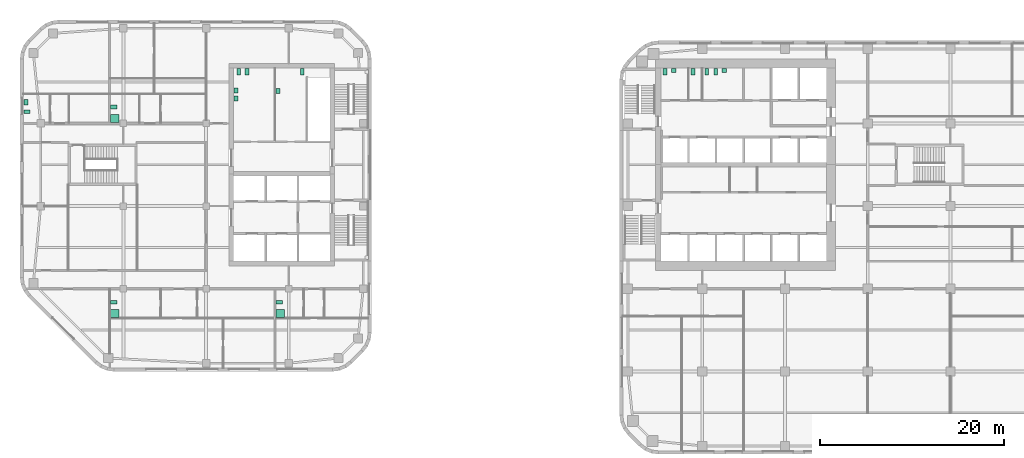
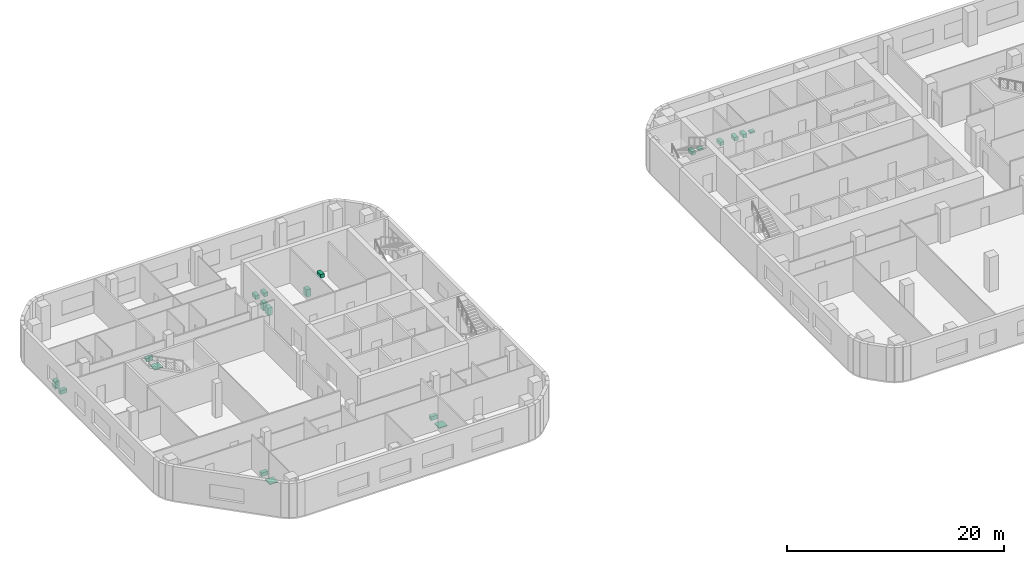
# One storey, part 16 of 16: 20 sanitary terminals.
"""IFC4 building model written with IfcOpenShell, lengths in metres."""

import ifcopenshell
import ifcopenshell.guid

model = None  # the IFC model being written
_history = None  # IfcOwnerHistory: only IFC2X3 demands one
_inside = {}  # id of a spatial element -> (the spatial element, [elements in it])
_under = {}  # id of a project, library or spatial element -> (it, [spatial elements below it])
_declared = {}  # id of a project -> (the project, [libraries it declares])
_typed = {}  # id of a type object -> (the type object, [elements of that type])
_made_of = {}  # id of a material, layer set ... -> (it, [elements and type objects made of it])


def new_model(schema):
    """Start an empty IFC model of exactly this schema.

    Asked for "IFC4X3", IfcOpenShell would pick the latest addendum, in which some entities
    have other attributes; the version numbers below select the first issue.
    IFC2X3 requires an IfcOwnerHistory on every rooted entity: one is made here for all.
    """
    global model, _history
    if schema == "IFC4X3":
        model = ifcopenshell.file(schema_version=(4, 3, 0, 0))
    else:
        model = ifcopenshell.file(schema=schema)
    _inside.clear()
    _under.clear()
    _declared.clear()
    _typed.clear()
    _made_of.clear()
    _history = None
    if model.schema == "IFC2X3":
        org = make("IfcOrganization", Name="unknown")
        user = make(
            "IfcPersonAndOrganization",
            ThePerson=make("IfcPerson", FamilyName="unknown"),
            TheOrganization=org,
        )
        app = make(
            "IfcApplication",
            ApplicationDeveloper=org,
            Version="unknown",
            ApplicationFullName="unknown",
            ApplicationIdentifier="unknown",
        )
        _history = make(
            "IfcOwnerHistory",
            OwningUser=user,
            OwningApplication=app,
            ChangeAction="ADDED",
            CreationDate=0,
        )
    return model


def make(cls, **values):
    """One entity of the class cls with the attributes given. An attribute that is None is left unset."""
    return model.create_entity(
        cls, **{name: value for name, value in values.items() if value is not None}
    )


def rooted(cls, **values):
    """An entity with a GlobalId (a new one), such as an element, a storey or a relation."""
    return make(cls, GlobalId=ifcopenshell.guid.new(), OwnerHistory=_history, **values)


def si_unit(unit_type, name, prefix=None):
    """IfcSIUnit, for example si_unit("LENGTHUNIT", "METRE", prefix="MILLI")."""
    return make("IfcSIUnit", UnitType=unit_type, Prefix=prefix, Name=name)


def assignment(units):
    """IfcUnitAssignment: the units of a project."""
    return None if units is None else make("IfcUnitAssignment", Units=units)


def point(xyz):
    """IfcCartesianPoint."""
    return None if xyz is None else make("IfcCartesianPoint", Coordinates=xyz)


def direction(xyz):
    """IfcDirection."""
    return None if xyz is None else make("IfcDirection", DirectionRatios=xyz)


def frame(location, z_axis=None, x_axis=None):
    """IfcAxis2Placement3D, a coordinate frame: its origin and axes. An axis left out is left unset."""
    return make(
        "IfcAxis2Placement3D",
        Location=point(location),
        Axis=direction(z_axis),
        RefDirection=direction(x_axis),
    )


def frame_2d(location, x_axis=None):
    """IfcAxis2Placement2D, a coordinate frame in the plane: its origin and x axis."""
    return make(
        "IfcAxis2Placement2D", Location=point(location), RefDirection=direction(x_axis)
    )


def origin():
    """The frame at (0, 0, 0) with its axes left unset."""
    return frame((0.0, 0.0, 0.0))


def origin_2d():
    """The frame at (0, 0) in the plane with its x axis left unset."""
    return frame_2d((0.0, 0.0))


def place(relative_to, where):
    """IfcLocalPlacement: puts the frame where relative to a parent placement (None: the world)."""
    return make(
        "IfcLocalPlacement", PlacementRelTo=relative_to, RelativePlacement=where
    )


def context(
    kind, dimensions, precision=None, world=None, true_north=None, identifier=None
):
    """IfcGeometricRepresentationContext, for example the 3D "Model" context."""
    return make(
        "IfcGeometricRepresentationContext",
        ContextIdentifier=identifier,
        ContextType=kind,
        CoordinateSpaceDimension=dimensions,
        Precision=precision,
        WorldCoordinateSystem=world,
        TrueNorth=true_north,
    )


def subcontext(parent, identifier, kind, view, scale=None):
    """IfcGeometricRepresentationSubContext, for example "Body" below "Model"."""
    return make(
        "IfcGeometricRepresentationSubContext",
        ContextIdentifier=identifier,
        ContextType=kind,
        ParentContext=parent,
        TargetScale=scale,
        TargetView=view,
    )


def project(units=None, contexts=None):
    """IfcProject with its units and contexts."""
    return rooted(
        "IfcProject",
        Name="project",
        RepresentationContexts=contexts,
        UnitsInContext=assignment(units),
    )


def spatial(cls, under=None, at=None, **own):
    """A site, building, storey or space (cls), placed at a placement, below another one or the project."""
    s = rooted(cls, ObjectPlacement=at, **own)
    if under is not None:
        _under.setdefault(under.id(), (under, []))[1].append(s)
    return s


def profile(cls, at=None, kind="AREA", **sizes):
    """A parametric profile (cls). Its sizes go by their IFC names, for example OverallWidth=200.0."""
    return make(cls, ProfileType=kind, Position=at, **sizes)


def rectangle(**sizes):
    """IfcRectangleProfileDef."""
    return profile("IfcRectangleProfileDef", **sizes)


def extrude(swept, where, along, depth):
    """IfcExtrudedAreaSolid: the profile swept, set in the frame where, extruded along a direction by depth."""
    return make(
        "IfcExtrudedAreaSolid",
        SweptArea=swept,
        Position=where,
        ExtrudedDirection=direction(along),
        Depth=depth,
    )


def shape(context_of_items, identifier, shape_type, items):
    """IfcShapeRepresentation: the items that make up one representation, for example the "Body"."""
    return make(
        "IfcShapeRepresentation",
        ContextOfItems=context_of_items,
        RepresentationIdentifier=identifier,
        RepresentationType=shape_type,
        Items=items,
    )


def material(Name=None, Category=None):
    """IfcMaterial."""
    return make("IfcMaterial", Name=Name, Category=Category)


def made_of(thing, what):
    """Note that an element or type object is made of a material, layer set ...; save() writes the relation."""
    if what is not None:
        _made_of.setdefault(what.id(), (what, []))[1].append(thing)
    return thing


def type_object(cls, material=None, **own):
    """A type object (cls), such as IfcWallType, which elements share."""
    return made_of(rooted(cls, **own), material)


def element(
    cls,
    number,
    at=None,
    inside=None,
    cuts=None,
    type_object=None,
    material=None,
    context=None,
    identifier="Body",
    shape_type=None,
    held_by="IfcProductDefinitionShape",
    body=None,
    shapes=None,
    **own,
):
    """One element of the class cls, such as IfcWall. Its Tag is "e" and its number.

    at: its placement. inside: the storey or other place that contains it. cuts: it is an
    opening in that element (IfcRelVoidsElement). A single representation is given by context,
    identifier, shape_type and body (its items); several are given by shapes. held_by: the class
    of the entity that holds the representations. save() writes the other relations.
    """
    e = rooted(cls, Tag="e%d" % number, ObjectPlacement=at, **own)
    if body is not None:
        shapes = [shape(context, identifier, shape_type, body)]
    if shapes is not None:
        e.Representation = make(held_by, Representations=shapes)
    if inside is not None:
        _inside.setdefault(inside.id(), (inside, []))[1].append(e)
    if cuts is not None:
        rooted(
            "IfcRelVoidsElement", RelatingBuildingElement=cuts, RelatedOpeningElement=e
        )
    if type_object is not None:
        _typed.setdefault(type_object.id(), (type_object, []))[1].append(e)
    return made_of(e, material)


def aggregate(whole, parts):
    """IfcRelAggregates: a whole, such as a stair, and the parts it consists of."""
    return rooted("IfcRelAggregates", RelatingObject=whole, RelatedObjects=parts)


def save(model, path):
    """Write the relations noted so far, then the file.

    IfcRelAggregates (storeys below a building ...), IfcRelContainedInSpatialStructure (elements
    in a storey), IfcRelDefinesByType, IfcRelAssociatesMaterial and IfcRelDeclares: one each for
    every whole, place, type object, material and project.
    """
    for whole, parts in _under.values():
        aggregate(whole, parts)
    for where, things in _inside.values():
        rooted(
            "IfcRelContainedInSpatialStructure",
            RelatedElements=things,
            RelatingStructure=where,
        )
    for kind, things in _typed.values():
        rooted("IfcRelDefinesByType", RelatedObjects=things, RelatingType=kind)
    for what, things in _made_of.values():
        rooted("IfcRelAssociatesMaterial", RelatedObjects=things, RelatingMaterial=what)
    for by, libraries in _declared.values():
        rooted("IfcRelDeclares", RelatingContext=by, RelatedDefinitions=libraries)
    model.write(path)


model = new_model("IFC4")

# Units and contexts
model_context = context("Model", 3, precision=1e-05, world=origin(), true_north=direction((0.0, 1.0)))
body_context = subcontext(model_context, "Body", "Model", "MODEL_VIEW")
ifc_project = project(units=[si_unit("LENGTHUNIT", "METRE"), si_unit("AREAUNIT", "SQUARE_METRE"), si_unit("VOLUMEUNIT", "CUBIC_METRE"), si_unit("PLANEANGLEUNIT", "RADIAN"), si_unit("MASSUNIT", "GRAM", prefix="KILO")], contexts=[model_context])

# Site, building, storey
site_placement = place(None, origin())
site = spatial("IfcSite", under=ifc_project, at=site_placement, CompositionType="ELEMENT")
building_placement = place(site_placement, origin())
building = spatial("IfcBuilding", under=site, at=building_placement, Name="Cinnabar Reach Civic Tower", CompositionType="ELEMENT")
storey_placement = place(building_placement, frame((0.0, 0.0, 79.0)))
storey = spatial("IfcBuildingStorey", under=building, at=storey_placement, Name="L18", CompositionType="ELEMENT", Elevation=79.0)

# Sanitary terminals
ifc_material_1 = material(Name="Vitreous china")
sanitary_terminal_type_1 = type_object("IfcSanitaryTerminalType", Name="T1 WC pan", PredefinedType="TOILETPAN", material=ifc_material_1)
for number, where, z_axis, x_axis, name in (
    (1, (4.95, 41.6, 0.0), (0.0, 0.0, 1.0), (1.0, 0.0, 0.0), "T1 WC pan 1807-1"),
    (2, (8.0, 41.6, 0.0), (0.0, 0.0, 1.0), (1.0, 0.0, 0.0), "T1 WC pan 1808-1"),
    (3, (9.5, 41.6, 0.0), (0.0, 0.0, 1.0), (1.0, 0.0, 0.0), "T1 WC pan 1809-1"),
    (4, (10.45, 41.6, 0.0), (0.0, 0.0, 1.0), (1.0, 0.0, 0.0), "T1 WC pan 1809-2"),
):
    element("IfcSanitaryTerminal", number, at=place(storey_placement, frame(where, z_axis=z_axis, x_axis=x_axis)), inside=storey, type_object=sanitary_terminal_type_1, Name=name, PredefinedType="TOILETPAN", context=body_context, shape_type="SweptSolid", body=[
        extrude(rectangle(XDim=0.4, YDim=0.7, at=origin_2d()), origin(), (0.0, 0.0, 1.0), 0.4),
    ])
sanitary_terminal_type_2 = type_object("IfcSanitaryTerminalType", Name="T1 wash basin", PredefinedType="WASHHANDBASIN", material=ifc_material_1)
for number, where, z_axis, x_axis, name in (
    (5, (5.9, 41.74, 0.0), (0.0, 0.0, 1.0), (1.0, 0.0, 0.0), "T1 wash basin 1807-2"),
    (6, (11.4, 41.74, 0.0), (0.0, 0.0, 1.0), (1.0, 0.0, 0.0), "T1 wash basin 1809-3"),
):
    element("IfcSanitaryTerminal", number, at=place(storey_placement, frame(where, z_axis=z_axis, x_axis=x_axis)), inside=storey, type_object=sanitary_terminal_type_2, Name=name, PredefinedType="WASHHANDBASIN", context=body_context, shape_type="SweptSolid", body=[
        extrude(rectangle(XDim=0.5, YDim=0.42, at=origin_2d()), origin(), (0.0, 0.0, 1.0), 0.2),
    ])
ifc_material_2 = material(Name="Acrylic tray")
sanitary_terminal_type_3 = type_object("IfcSanitaryTerminalType", Name="T2 Shower tray", PredefinedType="SHOWER", material=ifc_material_2)
for number, where, z_axis, x_axis, name in (
    (7, (-54.95, 15.3, 0.0), (0.0, 0.0, 1.0), (1.0, 0.0, 0.0), "Shower tray"),
    (8, (-36.925, 15.3, 0.0), (0.0, 0.0, 1.0), (1.0, 0.0, 0.0), "Shower tray"),
    (9, (-54.925, 36.525, 0.0), (0.0, 0.0, 1.0), (1.0, 0.0, 0.0), "Shower tray"),
):
    element("IfcSanitaryTerminal", number, at=place(storey_placement, frame(where, z_axis=z_axis, x_axis=x_axis)), inside=storey, type_object=sanitary_terminal_type_3, Name=name, PredefinedType="SHOWER", context=body_context, shape_type="SweptSolid", body=[
        extrude(rectangle(XDim=0.9, YDim=0.9, at=origin_2d()), origin(), (0.0, 0.0, 1.0), 0.1),
    ])
sanitary_terminal_type_4 = type_object("IfcSanitaryTerminalType", Name="T2 WC pan", PredefinedType="TOILETPAN", material=ifc_material_1)
for number, where, z_axis, x_axis, name in (
    (10, (-41.45, 41.6, 0.0), (0.0, 0.0, 1.0), (1.0, 0.0, 0.0), "WC pan"),
    (11, (-40.55, 41.6, 0.0), (0.0, 0.0, 1.0), (1.0, 0.0, 0.0), "WC pan"),
    (12, (-34.55, 41.6, 0.0), (0.0, 0.0, 1.0), (1.0, 0.0, 0.0), "WC pan"),
):
    element("IfcSanitaryTerminal", number, at=place(storey_placement, frame(where, z_axis=z_axis, x_axis=x_axis)), inside=storey, type_object=sanitary_terminal_type_4, Name=name, PredefinedType="TOILETPAN", context=body_context, shape_type="SweptSolid", body=[
        extrude(rectangle(XDim=0.4, YDim=0.7, at=origin_2d()), origin(), (0.0, 0.0, 1.0), 0.42),
    ])
for number, where, z_axis, x_axis, name in (
    (13, (-55.05, 16.55, 0.0), (0.0, 0.0, 1.0), (1.0, 0.0, 0.0), "WC pan"),
    (14, (-37.025, 16.55, 0.0), (0.0, 0.0, 1.0), (1.0, 0.0, 0.0), "WC pan"),
    (15, (-64.49, 37.25, 0.0), (0.0, 0.0, 1.0), (1.0, 0.0, 0.0), "WC pan"),
    (16, (-55.025, 37.775, 0.0), (0.0, 0.0, 1.0), (1.0, 0.0, 0.0), "WC pan"),
):
    element("IfcSanitaryTerminal", number, at=place(storey_placement, frame(where, z_axis=z_axis, x_axis=x_axis)), inside=storey, type_object=sanitary_terminal_type_4, Name=name, PredefinedType="TOILETPAN", context=body_context, shape_type="SweptSolid", body=[
        extrude(rectangle(XDim=0.7, YDim=0.4, at=origin_2d()), origin(), (0.0, 0.0, 1.0), 0.42),
    ])
sanitary_terminal_type_5 = type_object("IfcSanitaryTerminalType", Name="T2 Wash basin", PredefinedType="WASHHANDBASIN", material=ifc_material_1)
for number, where, z_axis, x_axis, name in (
    (17, (-41.725, 39.6, 0.0), (0.0, 0.0, 1.0), (1.0, 0.0, 0.0), "Wash basin"),
    (18, (-41.725, 38.7, 0.0), (0.0, 0.0, 1.0), (1.0, 0.0, 0.0), "Wash basin"),
    (19, (-37.175, 39.5, 0.0), (0.0, 0.0, 1.0), (1.0, 0.0, 0.0), "Wash basin"),
    (20, (-64.615, 38.3, 0.0), (0.0, 0.0, 1.0), (1.0, 0.0, 0.0), "Wash basin"),
):
    element("IfcSanitaryTerminal", number, at=place(storey_placement, frame(where, z_axis=z_axis, x_axis=x_axis)), inside=storey, type_object=sanitary_terminal_type_5, Name=name, PredefinedType="WASHHANDBASIN", context=body_context, shape_type="SweptSolid", body=[
        extrude(rectangle(XDim=0.45, YDim=0.55, at=origin_2d()), origin(), (0.0, 0.0, 1.0), 0.85),
    ])

save(model, "model.ifc")
